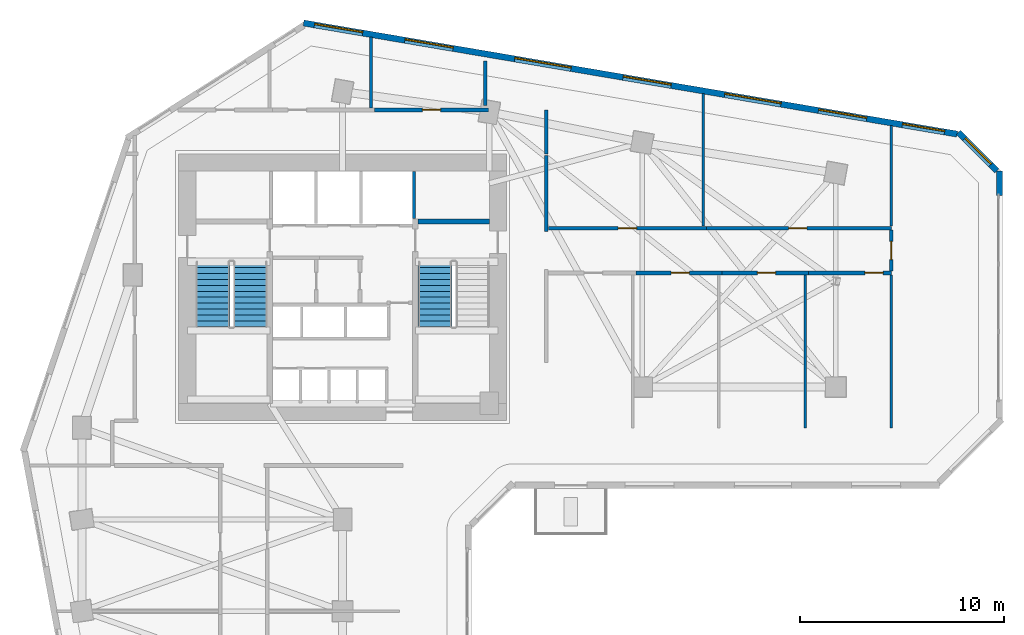
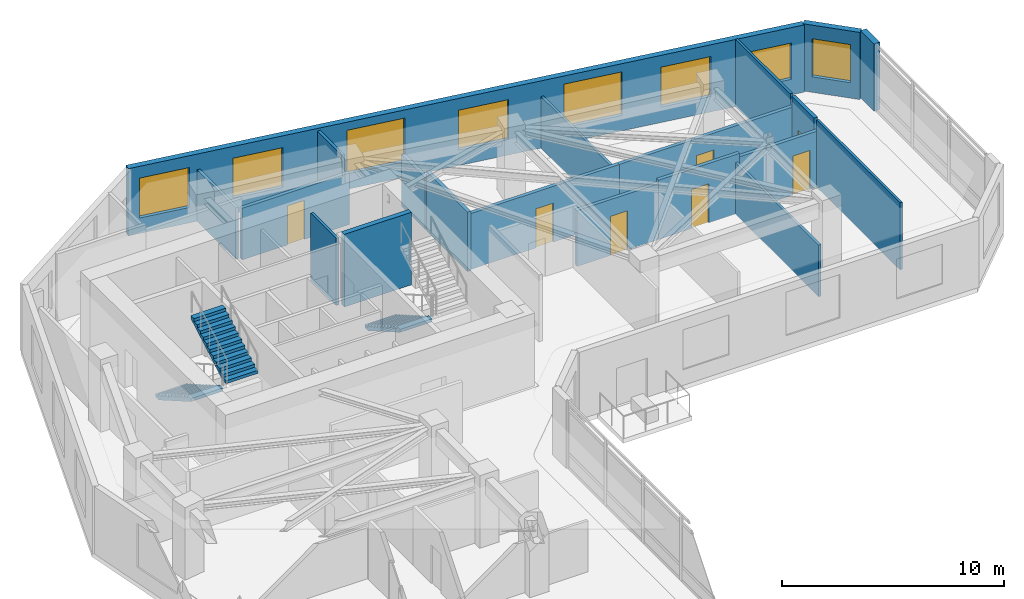
# One storey, part 7 of 10: 20 walls, 8 windows, 7 doors, 3 stair flights, 15 openings, 2 elements without a shape of their own.
"""IFC4 building model written with IfcOpenShell, lengths in metres."""

from ifc_helpers import new_model, si_unit, direction, frame, frame_2d, origin, place, context, subcontext, project, spatial, polyline, rectangle, outline, extrude, source, transform, mapped, material, layer, layer_set, type_object, element, fill, aggregate, save


model = new_model("IFC4")

# Units and contexts
model_context = context("Model", 3, precision=1e-05, world=origin(), true_north=direction((0.0, 1.0)))
body_context = subcontext(model_context, "Body", "Model", "MODEL_VIEW")
ifc_project = project(units=[si_unit("LENGTHUNIT", "METRE"), si_unit("AREAUNIT", "SQUARE_METRE"), si_unit("VOLUMEUNIT", "CUBIC_METRE"), si_unit("PLANEANGLEUNIT", "RADIAN"), si_unit("MASSUNIT", "GRAM", prefix="KILO")], contexts=[model_context])

# Site, building, storey
site_placement = place(None, origin())
site = spatial("IfcSite", under=ifc_project, at=site_placement, CompositionType="ELEMENT")
building_placement = place(site_placement, origin())
building = spatial("IfcBuilding", under=site, at=building_placement, Name="Calvemar Wedge Station Tower", CompositionType="ELEMENT")
storey_placement = place(building_placement, frame((0.0, 0.0, 95.0)))
storey = spatial("IfcBuildingStorey", under=building, at=storey_placement, Name="L23", CompositionType="ELEMENT", Elevation=95.0)

# Wall
ifc_material_1 = material(Name="Concrete C50", Category="concrete")
ifc_layer_1 = layer(ifc_material_1, 0.260009765625)
ifc_layer_set_1 = layer_set([ifc_layer_1], Name="Concrete C50")
wall_type_1 = type_object("IfcWallType", Name="SW-CORE-260", PredefinedType="SHEAR", material=ifc_layer_set_1)
wall_1_placement = place(storey_placement, frame((27.5, 43.1298828125, 0.0), z_axis=(0.0, 0.0, 1.0), x_axis=(1.0, 0.0, 0.0)))
element("IfcWall", 1, at=wall_1_placement, inside=storey, type_object=wall_type_1, Name="Storey L23 Core Shear Wall STC2-N", PredefinedType="SHEAR", context=body_context, shape_type="SweptSolid", body=[
    extrude(rectangle(XDim=3.5, YDim=0.260009765625, at=frame_2d((1.75, 0.0))), origin(), (0.0, 0.0, 1.0), 4.0),
])

# Wall, opening, door
ifc_material_2 = material(Name="Double-stud fire-rated corridor partition")
ifc_layer_2 = layer(ifc_material_2, 0.179931640625)
ifc_layer_set_2 = layer_set([ifc_layer_2], Name="Double-stud fire-rated corridor partition")
wall_type_2 = type_object("IfcWallType", Name="W-CORR-180", PredefinedType="PARTITIONING", material=ifc_layer_set_2)
wall_2_placement = place(storey_placement, frame((25.362060546875, 48.60009765625, 0.0), z_axis=(0.0, 0.0, 1.0), x_axis=(1.0, 0.0, 0.0)))
wall_2 = element("IfcWall", 2, at=wall_2_placement, inside=storey, type_object=wall_type_2, Name="Storey L23 Interior Partition WL-L23-014", PredefinedType="PARTITIONING", context=body_context, shape_type="SweptSolid", body=[
    extrude(rectangle(XDim=5.597900390625, YDim=0.179931640625, at=frame_2d((2.798828125, 0.0))), origin(), (0.0, 0.0, 1.0), 2.842041015625),
])
shared_shape_1 = source(origin(), body_context, "Body", "SweptSolid", [
    extrude(rectangle(XDim=0.89990234375, YDim=2.14990234375, at=frame_2d((0.449951171875, 1.074951171875))), frame((0.0, 0.10009765625, 0.0), z_axis=(0.0, -1.0, 0.0), x_axis=(1.0, 0.0, 0.0)), (0.0, 0.0, 1.0), 0.199951171875),
])
opening_1_placement = place(wall_2_placement, frame((2.34912109375, 0.0, 0.0)))
opening_1 = element("IfcOpeningElement", 3, at=opening_1_placement, cuts=wall_2, Name="Opening D-01", PredefinedType="OPENING", context=body_context, shape_type="MappedRepresentation", body=[
    mapped(shared_shape_1, transform((0.0, 0.0, 0.0), scale=1.0)),
])
ifc_material_3 = material(Name="Architectural hardwood acoustic swing door", Category="wood")
door_type = type_object("IfcDoorType", Name="DR-INT-900", OperationType="NOTDEFINED", PredefinedType="DOOR", material=ifc_material_3)
shared_shape_2 = source(origin(), body_context, "Body", "SweptSolid", [
    extrude(rectangle(XDim=0.89990234375, YDim=2.14990234375, at=frame_2d((0.449951171875, 1.074951171875))), frame((0.0, 0.02490234375, 0.0), z_axis=(0.0, -1.0, 0.0), x_axis=(1.0, 0.0, 0.0)), (0.0, 0.0, 1.0), 0.050048828125),
])
door_1_placement = place(opening_1_placement, origin())
door_1 = element("IfcDoor", 4, at=door_1_placement, inside=storey, type_object=door_type, Name="L23 Female Toilet Door", OperationType="SINGLE_SWING_LEFT", OverallHeight=2.14990234375, OverallWidth=0.89990234375, PredefinedType="DOOR", context=body_context, shape_type="MappedRepresentation", body=[
    mapped(shared_shape_2, transform((0.0, 0.0, 0.0), scale=1.0)),
])
fill(opening_1, door_1)

# Walls
wall_3_placement = place(storey_placement, frame((33.800048828125, 48.60009765625, 0.0), z_axis=(0.0, 0.0, 1.0), x_axis=(0.0, -1.0, 0.0)))
element("IfcWall", 5, at=wall_3_placement, inside=storey, type_object=wall_type_2, Name="Storey L23 Interior Partition WL-L23-015", PredefinedType="PARTITIONING", context=body_context, shape_type="SweptSolid", body=[
    extrude(rectangle(XDim=2.150146484375, YDim=0.179931640625, at=frame_2d((1.0751953125, 0.0))), origin(), (0.0, 0.0, 1.0), 2.842041015625),
])
wall_4_placement = place(storey_placement, frame((33.800048828125, 46.35595703125, 0.0), z_axis=(0.0, 0.0, 1.0), x_axis=(0.0, -1.0, 0.0)))
element("IfcWall", 6, at=wall_4_placement, inside=storey, type_object=wall_type_2, Name="Storey L23 Interior Partition WL-L23-017", PredefinedType="PARTITIONING", context=body_context, shape_type="SweptSolid", body=[
    extrude(rectangle(XDim=3.716064453125, YDim=0.179931640625, at=frame_2d((1.85791015625, 0.0))), origin(), (0.0, 0.0, 1.0), 3.27197265625),
])

# Wall, opening, door
wall_5_placement = place(storey_placement, frame((42.427001953125, 40.60009765625, 0.0), z_axis=(0.0, 0.0, 1.0), x_axis=(-1.0, 0.0, 0.0)))
wall_5 = element("IfcWall", 7, at=wall_5_placement, inside=storey, type_object=wall_type_2, Name="Storey L23 Interior Partition WL-L23-022", PredefinedType="PARTITIONING", context=body_context, shape_type="SweptSolid", body=[
    extrude(rectangle(XDim=4.23095703125, YDim=0.179931640625, at=frame_2d((2.115478515625, 0.0))), origin(), (0.0, 0.0, 1.0), 3.074951171875),
])
opening_2_placement = place(wall_5_placement, frame((1.605224609375, 0.0, 0.0)))
opening_2 = element("IfcOpeningElement", 8, at=opening_2_placement, cuts=wall_5, Name="Opening D-01", PredefinedType="OPENING", context=body_context, shape_type="MappedRepresentation", body=[
    mapped(shared_shape_1, transform((0.0, 0.0, 0.0), scale=1.0)),
])
door_2_placement = place(opening_2_placement, origin())
door_2 = element("IfcDoor", 9, at=door_2_placement, inside=storey, type_object=door_type, Name="L23 Co-Working Studio Door", OperationType="SINGLE_SWING_LEFT", OverallHeight=2.14990234375, OverallWidth=0.89990234375, PredefinedType="DOOR", context=body_context, shape_type="MappedRepresentation", body=[
    mapped(shared_shape_2, transform((0.0, 0.0, 0.0), scale=1.0)),
])
fill(opening_2, door_2)

wall_6_placement = place(storey_placement, frame((46.660888671875, 40.60009765625, 0.0), z_axis=(0.0, 0.0, 1.0), x_axis=(-1.0, 0.0, 0.0)))
wall_6 = element("IfcWall", 10, at=wall_6_placement, inside=storey, type_object=wall_type_2, Name="Storey L23 Interior Partition WL-L23-023", PredefinedType="PARTITIONING", context=body_context, shape_type="SweptSolid", body=[
    extrude(rectangle(XDim=4.23193359375, YDim=0.179931640625, at=frame_2d((2.115966796875, 0.0))), origin(), (0.0, 0.0, 1.0), 3.27197265625),
])
opening_3_placement = place(wall_6_placement, frame((1.605712890625, 0.0, 0.0)))
opening_3 = element("IfcOpeningElement", 11, at=opening_3_placement, cuts=wall_6, Name="Opening D-01", PredefinedType="OPENING", context=body_context, shape_type="MappedRepresentation", body=[
    mapped(shared_shape_1, transform((0.0, 0.0, 0.0), scale=1.0)),
])
door_3_placement = place(opening_3_placement, origin())
door_3 = element("IfcDoor", 12, at=door_3_placement, inside=storey, type_object=door_type, Name="L23 Co-Working Studio Door", OperationType="SINGLE_SWING_RIGHT", OverallHeight=2.14990234375, OverallWidth=0.89990234375, PredefinedType="DOOR", context=body_context, shape_type="MappedRepresentation", body=[
    mapped(shared_shape_2, transform((0.0, 0.0, 0.0), scale=1.0)),
])
fill(opening_3, door_3)

wall_7_placement = place(storey_placement, frame((50.735107421875, 40.60009765625, 0.0), z_axis=(0.0, 0.0, 1.0), x_axis=(-1.0, 0.0, 0.0)))
wall_7 = element("IfcWall", 13, at=wall_7_placement, inside=storey, type_object=wall_type_2, Name="Storey L23 Interior Partition WL-L23-024", PredefinedType="PARTITIONING", context=body_context, shape_type="SweptSolid", body=[
    extrude(rectangle(XDim=4.072021484375, YDim=0.179931640625, at=frame_2d((2.0361328125, 0.0))), origin(), (0.0, 0.0, 1.0), 3.074951171875),
])
opening_4_placement = place(wall_7_placement, frame((0.404296875, 0.0, 0.0)))
opening_4 = element("IfcOpeningElement", 14, at=opening_4_placement, cuts=wall_7, Name="Opening D-01", PredefinedType="OPENING", context=body_context, shape_type="MappedRepresentation", body=[
    mapped(shared_shape_1, transform((0.0, 0.0, 0.0), scale=1.0)),
])
door_4_placement = place(opening_4_placement, origin())
door_4 = element("IfcDoor", 15, at=door_4_placement, inside=storey, type_object=door_type, Name="L23 Meeting Room Door", OperationType="SINGLE_SWING_LEFT", OverallHeight=2.14990234375, OverallWidth=0.89990234375, PredefinedType="DOOR", context=body_context, shape_type="MappedRepresentation", body=[
    mapped(shared_shape_2, transform((0.0, 0.0, 0.0), scale=1.0)),
])
fill(opening_4, door_4)

wall_8_placement = place(storey_placement, frame((33.89404296875, 42.800048828125, 0.0), z_axis=(0.0, 0.0, 1.0), x_axis=(1.0, 0.0, 0.0)))
wall_8 = element("IfcWall", 16, at=wall_8_placement, inside=storey, type_object=wall_type_2, Name="Storey L23 Interior Partition WL-L23-025", PredefinedType="PARTITIONING", context=body_context, shape_type="SweptSolid", body=[
    extrude(rectangle(XDim=7.765869140625, YDim=0.179931640625, at=frame_2d((3.8828125, 0.0))), origin(), (0.0, 0.0, 1.0), 3.074951171875),
])
opening_5_placement = place(wall_8_placement, frame((3.43310546875, 0.0, 0.0)))
opening_5 = element("IfcOpeningElement", 17, at=opening_5_placement, cuts=wall_8, Name="Opening D-01", PredefinedType="OPENING", context=body_context, shape_type="MappedRepresentation", body=[
    mapped(shared_shape_1, transform((0.0, 0.0, 0.0), scale=1.0)),
])
door_5_placement = place(opening_5_placement, origin())
door_5 = element("IfcDoor", 18, at=door_5_placement, inside=storey, type_object=door_type, Name="L23 Meeting Room Door", OperationType="SINGLE_SWING_RIGHT", OverallHeight=2.14990234375, OverallWidth=0.89990234375, PredefinedType="DOOR", context=body_context, shape_type="MappedRepresentation", body=[
    mapped(shared_shape_2, transform((0.0, 0.0, 0.0), scale=1.0)),
])
fill(opening_5, door_5)

wall_9_placement = place(storey_placement, frame((41.662109375, 42.800048828125, 0.0), z_axis=(0.0, 0.0, 1.0), x_axis=(1.0, 0.0, 0.0)))
wall_9 = element("IfcWall", 19, at=wall_9_placement, inside=storey, type_object=wall_type_2, Name="Storey L23 Interior Partition WL-L23-026", PredefinedType="PARTITIONING", context=body_context, shape_type="SweptSolid", body=[
    extrude(rectangle(XDim=9.072998046875, YDim=0.179931640625, at=frame_2d((4.53662109375, 0.0))), origin(), (0.0, 0.0, 1.0), 3.074951171875),
])
opening_6_placement = place(wall_9_placement, frame((4.026123046875, 0.0, 0.0)))
opening_6 = element("IfcOpeningElement", 20, at=opening_6_placement, cuts=wall_9, Name="Opening D-01", PredefinedType="OPENING", context=body_context, shape_type="MappedRepresentation", body=[
    mapped(shared_shape_1, transform((0.0, 0.0, 0.0), scale=1.0)),
])
door_6_placement = place(opening_6_placement, origin())
door_6 = element("IfcDoor", 21, at=door_6_placement, inside=storey, type_object=door_type, Name="L23 Co-Working Studio Door", OperationType="SINGLE_SWING_LEFT", OverallHeight=2.14990234375, OverallWidth=0.89990234375, PredefinedType="DOOR", context=body_context, shape_type="MappedRepresentation", body=[
    mapped(shared_shape_2, transform((0.0, 0.0, 0.0), scale=1.0)),
])
fill(opening_6, door_6)

wall_10_placement = place(storey_placement, frame((50.735107421875, 42.7060546875, 0.0), z_axis=(0.0, 0.0, 1.0), x_axis=(0.0, -1.0, 0.0)))
wall_10 = element("IfcWall", 22, at=wall_10_placement, inside=storey, type_object=wall_type_2, Name="Storey L23 Interior Partition WL-L23-027", PredefinedType="PARTITIONING", context=body_context, shape_type="SweptSolid", body=[
    extrude(rectangle(XDim=2.011962890625, YDim=0.179931640625, at=frame_2d((1.005859375, 0.0))), origin(), (0.0, 0.0, 1.0), 3.699951171875),
])
opening_7_placement = place(wall_10_placement, frame((0.555908203125, 0.0, 0.0)))
opening_7 = element("IfcOpeningElement", 23, at=opening_7_placement, cuts=wall_10, Name="Opening D-01", PredefinedType="OPENING", context=body_context, shape_type="MappedRepresentation", body=[
    mapped(shared_shape_1, transform((0.0, 0.0, 0.0), scale=1.0)),
])
door_7_placement = place(opening_7_placement, origin())
door_7 = element("IfcDoor", 24, at=door_7_placement, inside=storey, type_object=door_type, Name="L23 Conference Hall Door", OperationType="SINGLE_SWING_RIGHT", OverallHeight=2.14990234375, OverallWidth=0.89990234375, PredefinedType="DOOR", context=body_context, shape_type="MappedRepresentation", body=[
    mapped(shared_shape_2, transform((0.0, 0.0, 0.0), scale=1.0)),
])
fill(opening_7, door_7)

# Wall
ifc_material_4 = material(Name="Precast concrete C45", Category="concrete")
ifc_layer_3 = layer(ifc_material_4, 0.300048828125)
ifc_layer_set_3 = layer_set([ifc_layer_3], Name="Precast concrete C45")
wall_type_3 = type_object("IfcWallType", Name="W-EXT-GFRC-300", PredefinedType="SOLIDWALL", material=ifc_layer_set_3)
wall_11_placement = place(storey_placement, frame((56.050048828125, 44.390869140625, 0.0), z_axis=(0.0, 0.0, 1.0), x_axis=(0.0, 1.0, 0.0)))
element("IfcWall", 25, at=wall_11_placement, inside=storey, type_object=wall_type_3, Name="Storey L23 Bronze GFRC Corner Pier 8B", PredefinedType="SOLIDWALL", context=body_context, shape_type="SweptSolid", body=[
    extrude(rectangle(XDim=1.22509765625, YDim=0.300048828125, at=frame_2d((0.612548828125, 0.0))), origin(), (0.0, 0.0, 1.0), 3.699951171875),
])

# Wall, opening, window
wall_12_placement = place(storey_placement, frame((55.912109375, 45.60400390625, 0.0), z_axis=(0.0, 0.0, 1.0), x_axis=(-0.707152443695, 0.707061115729, 0.0)))
wall_12 = element("IfcWall", 26, at=wall_12_placement, inside=storey, type_object=wall_type_3, Name="Storey L23 Bronze GFRC Exterior Wall 9", PredefinedType="SOLIDWALL", context=body_context, shape_type="SweptSolid", body=[
    extrude(rectangle(XDim=2.67333984375, YDim=0.300048828125, at=frame_2d((1.336669921875, 0.0))), origin(), (0.0, 0.0, 1.0), 3.699951171875),
])
shared_shape_3 = source(origin(), body_context, "Body", "SweptSolid", [
    extrude(rectangle(XDim=1.800048828125, YDim=2.10009765625, at=frame_2d((0.89990234375, 1.050048828125))), frame((0.0, 0.16015625, 0.0), z_axis=(0.0, -1.0, 0.0), x_axis=(1.0, 0.0, 0.0)), (0.0, 0.0, 1.0), 0.320068359375),
])
opening_8_placement = place(wall_12_placement, frame((0.43701171875, 0.0, 0.85009765625)))
opening_8 = element("IfcOpeningElement", 27, at=opening_8_placement, cuts=wall_12, Name="Opening W2", PredefinedType="OPENING", context=body_context, shape_type="MappedRepresentation", body=[
    mapped(shared_shape_3, transform((0.0, 0.0, 0.0), scale=1.0)),
])
ifc_material_5 = material(Name="Low-E laminated insulated glass", Category="glass")
window_type_1 = type_object("IfcWindowType", Name="WIN-EXT-2", PartitioningType="SINGLE_PANEL", PredefinedType="WINDOW", material=ifc_material_5)
shared_shape_4 = source(origin(), body_context, "Body", "SweptSolid", [
    extrude(rectangle(XDim=1.800048828125, YDim=2.10009765625, at=frame_2d((0.89990234375, 1.050048828125))), frame((0.0, -0.014892578125, 0.0), z_axis=(0.0, -1.0, 0.0), x_axis=(1.0, 0.0, 0.0)), (0.0, 0.0, 1.0), 0.06005859375),
])
window_1_placement = place(opening_8_placement, origin())
window_1 = element("IfcWindow", 28, at=window_1_placement, inside=storey, type_object=window_type_1, Name="Storey L23 Recessed Window 9.1", OverallHeight=2.10009765625, OverallWidth=1.800048828125, PartitioningType="SINGLE_PANEL", PredefinedType="WINDOW", context=body_context, shape_type="MappedRepresentation", body=[
    mapped(shared_shape_4, transform((0.0, 0.0, 0.0), scale=1.0)),
])
fill(opening_8, window_1)

# Wall, openings, windows
wall_13_placement = place(storey_placement, frame((53.9609375, 47.41650390625, 0.0), z_axis=(0.0, 0.0, 1.0), x_axis=(-0.985865713455, 0.167537443678, 0.0)))
wall_13 = element("IfcWall", 29, at=wall_13_placement, inside=storey, type_object=wall_type_3, Name="Storey L23 Bronze GFRC Exterior Wall 10", PredefinedType="SOLIDWALL", context=body_context, shape_type="SweptSolid", body=[
    extrude(rectangle(XDim=32.537109375, YDim=0.300048828125, at=frame_2d((16.2685546875, 0.0))), origin(), (0.0, 0.0, 1.0), 3.699951171875),
])
shared_shape_5 = source(origin(), body_context, "Body", "SweptSolid", [
    extrude(rectangle(XDim=2.10009765625, YDim=2.0, at=frame_2d((1.050048828125, 1.0))), frame((0.0, 0.16015625, 0.0), z_axis=(0.0, -1.0, 0.0), x_axis=(1.0, 0.0, 0.0)), (0.0, 0.0, 1.0), 0.320068359375),
])
opening_9_placement = place(wall_13_placement, frame((0.6259765625, 0.0, 0.85009765625)))
opening_9 = element("IfcOpeningElement", 30, at=opening_9_placement, cuts=wall_13, Name="Opening W4", PredefinedType="OPENING", context=body_context, shape_type="MappedRepresentation", body=[
    mapped(shared_shape_5, transform((0.0, 0.0, 0.0), scale=1.0)),
])
shared_shape_6 = source(origin(), body_context, "Body", "SweptSolid", [
    extrude(rectangle(XDim=2.39990234375, YDim=2.199951171875, at=frame_2d((1.199951171875, 1.10009765625))), frame((0.0, 0.16015625, 0.0), z_axis=(0.0, -1.0, 0.0), x_axis=(1.0, 0.0, 0.0)), (0.0, 0.0, 1.0), 0.320068359375),
])
opening_10_placement = place(wall_13_placement, frame((4.50390625, 0.0, 0.85009765625)))
opening_10 = element("IfcOpeningElement", 31, at=opening_10_placement, cuts=wall_13, Name="Opening W1", PredefinedType="OPENING", context=body_context, shape_type="MappedRepresentation", body=[
    mapped(shared_shape_6, transform((0.0, 0.0, 0.0), scale=1.0)),
])
shared_shape_7 = source(origin(), body_context, "Body", "SweptSolid", [
    extrude(rectangle(XDim=2.800048828125, YDim=2.39990234375, at=frame_2d((1.39990234375, 1.199951171875))), frame((0.0, 0.16015625, 0.0), z_axis=(0.0, -1.0, 0.0), x_axis=(1.0, 0.0, 0.0)), (0.0, 0.0, 1.0), 0.320068359375),
])
opening_11_placement = place(wall_13_placement, frame((8.76806640625, 0.0, 0.85009765625)))
opening_11 = element("IfcOpeningElement", 32, at=opening_11_placement, cuts=wall_13, Name="Opening W6", PredefinedType="OPENING", context=body_context, shape_type="MappedRepresentation", body=[
    mapped(shared_shape_7, transform((0.0, 0.0, 0.0), scale=1.0)),
])
opening_12_placement = place(wall_13_placement, frame((14.23388671875, 0.0, 0.85009765625)))
opening_12 = element("IfcOpeningElement", 33, at=opening_12_placement, cuts=wall_13, Name="Opening W1", PredefinedType="OPENING", context=body_context, shape_type="MappedRepresentation", body=[
    mapped(shared_shape_6, transform((0.0, 0.0, 0.0), scale=1.0)),
])
opening_13_placement = place(wall_13_placement, frame((19.221923828125, 0.0, 0.85009765625)))
opening_13 = element("IfcOpeningElement", 34, at=opening_13_placement, cuts=wall_13, Name="Opening W6", PredefinedType="OPENING", context=body_context, shape_type="MappedRepresentation", body=[
    mapped(shared_shape_7, transform((0.0, 0.0, 0.0), scale=1.0)),
])
opening_14_placement = place(wall_13_placement, frame((25.094970703125, 0.0, 0.85009765625)))
opening_14 = element("IfcOpeningElement", 35, at=opening_14_placement, cuts=wall_13, Name="Opening W1", PredefinedType="OPENING", context=body_context, shape_type="MappedRepresentation", body=[
    mapped(shared_shape_6, transform((0.0, 0.0, 0.0), scale=1.0)),
])
opening_15_placement = place(wall_13_placement, frame((29.594970703125, 0.0, 0.85009765625)))
opening_15 = element("IfcOpeningElement", 36, at=opening_15_placement, cuts=wall_13, Name="Opening W1", PredefinedType="OPENING", context=body_context, shape_type="MappedRepresentation", body=[
    mapped(shared_shape_6, transform((0.0, 0.0, 0.0), scale=1.0)),
])
window_type_2 = type_object("IfcWindowType", Name="WIN-EXT-4", PartitioningType="SINGLE_PANEL", PredefinedType="WINDOW", material=ifc_material_5)
shared_shape_8 = source(origin(), body_context, "Body", "SweptSolid", [
    extrude(rectangle(XDim=2.10009765625, YDim=2.0, at=frame_2d((1.050048828125, 1.0))), frame((0.0, -0.014892578125, 0.0), z_axis=(0.0, -1.0, 0.0), x_axis=(1.0, 0.0, 0.0)), (0.0, 0.0, 1.0), 0.06005859375),
])
window_2_placement = place(opening_9_placement, origin())
window_2 = element("IfcWindow", 37, at=window_2_placement, inside=storey, type_object=window_type_2, Name="Storey L23 Recessed Window 10.1", OverallHeight=2.0, OverallWidth=2.10009765625, PartitioningType="SINGLE_PANEL", PredefinedType="WINDOW", context=body_context, shape_type="MappedRepresentation", body=[
    mapped(shared_shape_8, transform((0.0, 0.0, 0.0), scale=1.0)),
])
fill(opening_9, window_2)
window_type_3 = type_object("IfcWindowType", Name="WIN-EXT-6", PartitioningType="SINGLE_PANEL", PredefinedType="WINDOW", material=ifc_material_5)
shared_shape_9 = source(origin(), body_context, "Body", "SweptSolid", [
    extrude(rectangle(XDim=2.800048828125, YDim=2.39990234375, at=frame_2d((1.39990234375, 1.199951171875))), frame((0.0, -0.014892578125, 0.0), z_axis=(0.0, -1.0, 0.0), x_axis=(1.0, 0.0, 0.0)), (0.0, 0.0, 1.0), 0.06005859375),
])
window_3_placement = place(opening_11_placement, origin())
window_3 = element("IfcWindow", 38, at=window_3_placement, inside=storey, type_object=window_type_3, Name="Storey L23 Recessed Window 10.3", OverallHeight=2.39990234375, OverallWidth=2.800048828125, PartitioningType="SINGLE_PANEL", PredefinedType="WINDOW", context=body_context, shape_type="MappedRepresentation", body=[
    mapped(shared_shape_9, transform((0.0, 0.0, 0.0), scale=1.0)),
])
fill(opening_11, window_3)
window_4_placement = place(opening_13_placement, origin())
window_4 = element("IfcWindow", 39, at=window_4_placement, inside=storey, type_object=window_type_3, Name="Storey L23 Recessed Window 10.5", OverallHeight=2.39990234375, OverallWidth=2.800048828125, PartitioningType="SINGLE_PANEL", PredefinedType="WINDOW", context=body_context, shape_type="MappedRepresentation", body=[
    mapped(shared_shape_9, transform((0.0, 0.0, 0.0), scale=1.0)),
])
fill(opening_13, window_4)
window_type_4 = type_object("IfcWindowType", Name="WIN-EXT-1", PartitioningType="SINGLE_PANEL", PredefinedType="WINDOW", material=ifc_material_5)
shared_shape_10 = source(origin(), body_context, "Body", "SweptSolid", [
    extrude(rectangle(XDim=2.39990234375, YDim=2.199951171875, at=frame_2d((1.199951171875, 1.10009765625))), frame((0.0, -0.014892578125, 0.0), z_axis=(0.0, -1.0, 0.0), x_axis=(1.0, 0.0, 0.0)), (0.0, 0.0, 1.0), 0.06005859375),
])
window_5_placement = place(opening_10_placement, origin())
window_5 = element("IfcWindow", 40, at=window_5_placement, inside=storey, type_object=window_type_4, Name="Storey L23 Recessed Window 10.2", OverallHeight=2.199951171875, OverallWidth=2.39990234375, PartitioningType="SINGLE_PANEL", PredefinedType="WINDOW", context=body_context, shape_type="MappedRepresentation", body=[
    mapped(shared_shape_10, transform((0.0, 0.0, 0.0), scale=1.0)),
])
fill(opening_10, window_5)
window_6_placement = place(opening_12_placement, origin())
window_6 = element("IfcWindow", 41, at=window_6_placement, inside=storey, type_object=window_type_4, Name="Storey L23 Recessed Window 10.4", OverallHeight=2.199951171875, OverallWidth=2.39990234375, PartitioningType="SINGLE_PANEL", PredefinedType="WINDOW", context=body_context, shape_type="MappedRepresentation", body=[
    mapped(shared_shape_10, transform((0.0, 0.0, 0.0), scale=1.0)),
])
fill(opening_12, window_6)
window_7_placement = place(opening_14_placement, origin())
window_7 = element("IfcWindow", 42, at=window_7_placement, inside=storey, type_object=window_type_4, Name="Storey L23 Recessed Window 10.6", OverallHeight=2.199951171875, OverallWidth=2.39990234375, PartitioningType="SINGLE_PANEL", PredefinedType="WINDOW", context=body_context, shape_type="MappedRepresentation", body=[
    mapped(shared_shape_10, transform((0.0, 0.0, 0.0), scale=1.0)),
])
fill(opening_14, window_7)
window_8_placement = place(opening_15_placement, origin())
window_8 = element("IfcWindow", 43, at=window_8_placement, inside=storey, type_object=window_type_4, Name="Storey L23 Recessed Window 10.7", OverallHeight=2.199951171875, OverallWidth=2.39990234375, PartitioningType="SINGLE_PANEL", PredefinedType="WINDOW", context=body_context, shape_type="MappedRepresentation", body=[
    mapped(shared_shape_10, transform((0.0, 0.0, 0.0), scale=1.0)),
])
fill(opening_15, window_8)

# Walls
ifc_material_6 = material(Name="Reinforced concrete blockwork lift shaft wall", Category="masonry")
ifc_layer_4 = layer(ifc_material_6, 0.139892578125)
ifc_layer_set_4 = layer_set([ifc_layer_4], Name="Reinforced concrete blockwork lift shaft wall")
wall_type_4 = type_object("IfcWallType", Name="W-LIFT-160", PredefinedType="SOLIDWALL", material=ifc_layer_set_4)
wall_14_placement = place(storey_placement, frame((27.31005859375, 43.280029296875, 0.0), z_axis=(0.0, 0.0, 1.0), x_axis=(0.0, 1.0, 0.0)))
element("IfcWall", 44, at=wall_14_placement, inside=storey, type_object=wall_type_4, Name="Storey L23 Firefighting Lift Shaft Enclosure Wall E", PredefinedType="SOLIDWALL", context=body_context, shape_type="SweptSolid", body=[
    extrude(rectangle(XDim=2.300048828125, YDim=0.139892578125, at=frame_2d((1.14990234375, 0.0))), origin(), (0.0, 0.0, 1.0), 3.699951171875),
])
ifc_material_7 = material(Name="Insulated acoustic gypsum stud partition")
ifc_layer_5 = layer(ifc_material_7, 0.125)
ifc_layer_set_5 = layer_set([ifc_layer_5], Name="Insulated acoustic gypsum stud partition")
wall_type_5 = type_object("IfcWallType", Name="W-PART-125", PredefinedType="PARTITIONING", material=ifc_layer_set_5)
wall_15_placement = place(storey_placement, frame((46.5009765625, 40.506103515625, 0.0), z_axis=(0.0, 0.0, 1.0), x_axis=(0.0, -1.0, 0.0)))
element("IfcWall", 45, at=wall_15_placement, inside=storey, type_object=wall_type_5, Name="Storey L23 Interior Partition WL-L23-030", PredefinedType="PARTITIONING", context=body_context, shape_type="SweptSolid", body=[
    extrude(rectangle(XDim=7.506103515625, YDim=0.125, at=frame_2d((3.7529296875, 0.0))), origin(), (0.0, 0.0, 1.0), 2.842041015625),
])
wall_16_placement = place(storey_placement, frame((50.735107421875, 40.506103515625, 0.0), z_axis=(0.0, 0.0, 1.0), x_axis=(0.0, -1.0, 0.0)))
element("IfcWall", 46, at=wall_16_placement, inside=storey, type_object=wall_type_5, Name="Storey L23 Interior Partition WL-L23-031", PredefinedType="PARTITIONING", context=body_context, shape_type="SweptSolid", body=[
    extrude(rectangle(XDim=7.506103515625, YDim=0.125, at=frame_2d((3.7529296875, 0.0))), origin(), (0.0, 0.0, 1.0), 3.699951171875),
])
wall_17_placement = place(storey_placement, frame((41.5, 49.41748046875, 0.0), z_axis=(0.0, 0.0, 1.0), x_axis=(0.0, -1.0, 0.0)))
element("IfcWall", 47, at=wall_17_placement, inside=storey, type_object=wall_type_5, Name="Storey L23 Interior Partition WL-L23-032", PredefinedType="PARTITIONING", context=body_context, shape_type="SweptSolid", body=[
    extrude(rectangle(XDim=6.5234375, YDim=0.125, at=frame_2d((3.26171875, 0.0))), origin(), (0.0, 0.0, 1.0), 2.842041015625),
])
wall_18_placement = place(storey_placement, frame((50.735107421875, 47.847900390625, 0.0), z_axis=(0.0, 0.0, 1.0), x_axis=(0.0, -1.0, 0.0)))
element("IfcWall", 48, at=wall_18_placement, inside=storey, type_object=wall_type_5, Name="Storey L23 Interior Partition WL-L23-033", PredefinedType="PARTITIONING", context=body_context, shape_type="SweptSolid", body=[
    extrude(rectangle(XDim=4.953857421875, YDim=0.125, at=frame_2d((2.47705078125, 0.0))), origin(), (0.0, 0.0, 1.0), 3.699951171875),
])
ifc_material_8 = material(Name="Moisture-resistant acoustic bathroom partition")
ifc_layer_6 = layer(ifc_material_8, 0.14990234375)
ifc_layer_set_6 = layer_set([ifc_layer_6], Name="Moisture-resistant acoustic bathroom partition")
wall_type_6 = type_object("IfcWallType", Name="W-WET-150", PredefinedType="PARTITIONING", material=ifc_layer_set_6)
wall_19_placement = place(storey_placement, frame((25.199951171875, 52.1875, 0.0), z_axis=(0.0, 0.0, 1.0), x_axis=(0.0, -1.0, 0.0)))
element("IfcWall", 49, at=wall_19_placement, inside=storey, type_object=wall_type_6, Name="Storey L23 Interior Partition WL-L23-020", PredefinedType="PARTITIONING", context=body_context, shape_type="SweptSolid", body=[
    extrude(rectangle(XDim=3.493408203125, YDim=0.14990234375, at=frame_2d((1.74658203125, 0.0))), origin(), (0.0, 0.0, 1.0), 2.842041015625),
])
wall_20_placement = place(storey_placement, frame((30.800048828125, 51.0126953125, 0.0), z_axis=(0.0, 0.0, 1.0), x_axis=(0.0, -1.0, 0.0)))
element("IfcWall", 50, at=wall_20_placement, inside=storey, type_object=wall_type_6, Name="Storey L23 Bathroom Enclosure Wall WL-L23-043", PredefinedType="PARTITIONING", context=body_context, shape_type="SweptSolid", body=[
    extrude(rectangle(XDim=2.192626953125, YDim=0.14990234375, at=frame_2d((1.09619140625, 0.0))), origin(), (0.0, 0.0, 1.0), 3.699951171875),
])

# Stair, stair flights
ifc_material_9 = material(Name="Concrete C45", Category="concrete")
stair_type = type_object("IfcStairType", Name="ST-TYPE-4000", PredefinedType="HALF_TURN_STAIR", material=ifc_material_9)
stair_1_placement = place(storey_placement, origin())
stair_1 = element("IfcStair", 51, at=stair_1_placement, inside=storey, type_object=stair_type, Name="L23 Pressurized Core Exit Stair ST-C1", PredefinedType="HALF_TURN_STAIR")
stair_flight_type = type_object("IfcStairFlightType", Name="STF-TYPE-4000", PredefinedType="STRAIGHT", material=ifc_material_9)
stair_flight_1_placement = place(storey_placement, frame((17.429931640625, 41.14990234375, 0.0), z_axis=(0.0, 0.0, 1.0), x_axis=(0.0, -1.0, 0.0)))
stair_flight_1 = element("IfcStairFlight", 52, at=stair_flight_1_placement, type_object=stair_flight_type, Name="ST-C1 flight 1", NumberOfRisers=12, NumberOfTreads=11, PredefinedType="STRAIGHT", RiserHeight=0.166666667, TreadLength=0.29, context=body_context, shape_type="SweptSolid", body=[
    extrude(outline(polyline([(0.0, 0.0), (0.0, 0.166748046875), (0.2900390625, 0.166748046875), (0.2900390625, 0.333251953125), (0.580078125, 0.333251953125), (0.580078125, 0.5), (0.8701171875, 0.5), (0.8701171875, 0.666748046875), (1.159912109375, 0.666748046875), (1.159912109375, 0.833251953125), (1.449951171875, 0.833251953125), (1.449951171875, 1.0), (1.739990234375, 1.0), (1.739990234375, 1.166748046875), (2.030029296875, 1.166748046875), (2.030029296875, 1.333251953125), (2.320068359375, 1.333251953125), (2.320068359375, 1.5), (2.610107421875, 1.5), (2.610107421875, 1.666748046875), (2.89990234375, 1.666748046875), (2.89990234375, 1.833251953125), (3.18994140625, 1.833251953125), (3.18994140625, 2.0), (3.18994140625, 1.660400390625), (0.30078125, 0.0), (0.0, 0.0)])), frame((0.0, 0.830078125, 0.0), z_axis=(0.0, -1.0, 0.0), x_axis=(1.0, 0.0, 0.0)), (0.0, 0.0, 1.0), 1.659912109375),
])
stair_flight_2_placement = place(storey_placement, frame((19.27001953125, 37.9599609375, 2.0), z_axis=(0.0, 0.0, 1.0), x_axis=(0.0, 1.0, 0.0)))
stair_flight_2 = element("IfcStairFlight", 53, at=stair_flight_2_placement, type_object=stair_flight_type, Name="ST-C1 flight 2", NumberOfRisers=12, NumberOfTreads=11, PredefinedType="STRAIGHT", RiserHeight=0.166666667, TreadLength=0.29, context=body_context, shape_type="SweptSolid", body=[
    extrude(outline(polyline([(0.0, 0.0), (0.0, 0.166748046875), (0.2900390625, 0.166748046875), (0.2900390625, 0.333251953125), (0.580078125, 0.333251953125), (0.580078125, 0.5), (0.8701171875, 0.5), (0.8701171875, 0.666748046875), (1.159912109375, 0.666748046875), (1.159912109375, 0.833251953125), (1.449951171875, 0.833251953125), (1.449951171875, 1.0), (1.739990234375, 1.0), (1.739990234375, 1.166748046875), (2.030029296875, 1.166748046875), (2.030029296875, 1.333251953125), (2.320068359375, 1.333251953125), (2.320068359375, 1.5), (2.610107421875, 1.5), (2.610107421875, 1.666748046875), (2.89990234375, 1.666748046875), (2.89990234375, 1.833251953125), (3.18994140625, 1.833251953125), (3.18994140625, 2.0), (3.18994140625, 1.660400390625), (0.30078125, 0.0), (0.0, 0.0)])), frame((0.0, 0.830078125, 0.0), z_axis=(0.0, -1.0, 0.0), x_axis=(1.0, 0.0, 0.0)), (0.0, 0.0, 1.0), 1.659912109375),
])
aggregate(stair_1, [stair_flight_1, stair_flight_2])

# Stair, stair flight
stair_2_placement = place(storey_placement, origin())
stair_2 = element("IfcStair", 54, at=stair_2_placement, inside=storey, type_object=stair_type, Name="L23 Pressurized Core Exit Stair ST-C2", PredefinedType="HALF_TURN_STAIR")
stair_flight_3_placement = place(storey_placement, frame((28.330078125, 41.14990234375, 0.0), z_axis=(0.0, 0.0, 1.0), x_axis=(0.0, -1.0, 0.0)))
stair_flight_3 = element("IfcStairFlight", 55, at=stair_flight_3_placement, type_object=stair_flight_type, Name="ST-C2 flight 1", NumberOfRisers=12, NumberOfTreads=11, PredefinedType="STRAIGHT", RiserHeight=0.166666667, TreadLength=0.29, context=body_context, shape_type="SweptSolid", body=[
    extrude(outline(polyline([(0.0, 0.0), (0.0, 0.166748046875), (0.2900390625, 0.166748046875), (0.2900390625, 0.333251953125), (0.580078125, 0.333251953125), (0.580078125, 0.5), (0.8701171875, 0.5), (0.8701171875, 0.666748046875), (1.159912109375, 0.666748046875), (1.159912109375, 0.833251953125), (1.449951171875, 0.833251953125), (1.449951171875, 1.0), (1.739990234375, 1.0), (1.739990234375, 1.166748046875), (2.030029296875, 1.166748046875), (2.030029296875, 1.333251953125), (2.320068359375, 1.333251953125), (2.320068359375, 1.5), (2.610107421875, 1.5), (2.610107421875, 1.666748046875), (2.89990234375, 1.666748046875), (2.89990234375, 1.833251953125), (3.18994140625, 1.833251953125), (3.18994140625, 2.0), (3.18994140625, 1.660400390625), (0.30078125, 0.0), (0.0, 0.0)])), frame((0.0, 0.830078125, 0.0), z_axis=(0.0, -1.0, 0.0), x_axis=(1.0, 0.0, 0.0)), (0.0, 0.0, 1.0), 1.659912109375),
])
aggregate(stair_2, [stair_flight_3])

save(model, "model.ifc")
